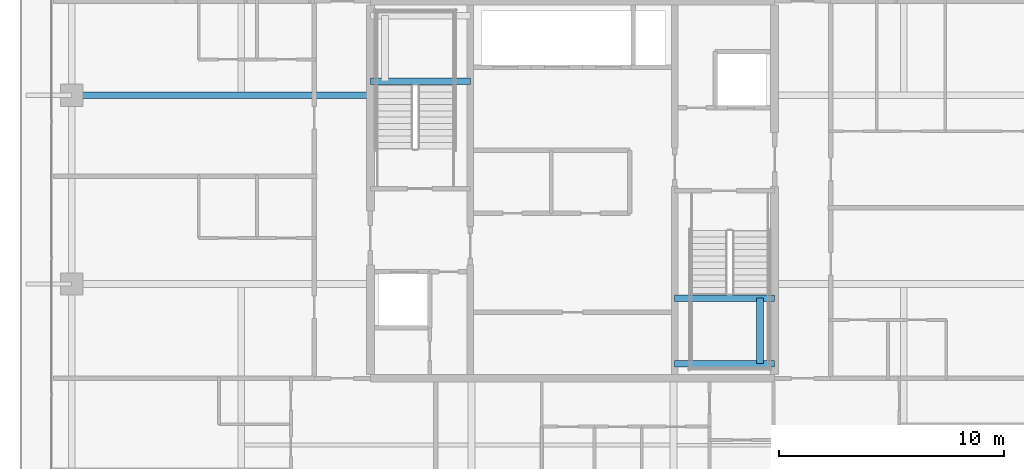
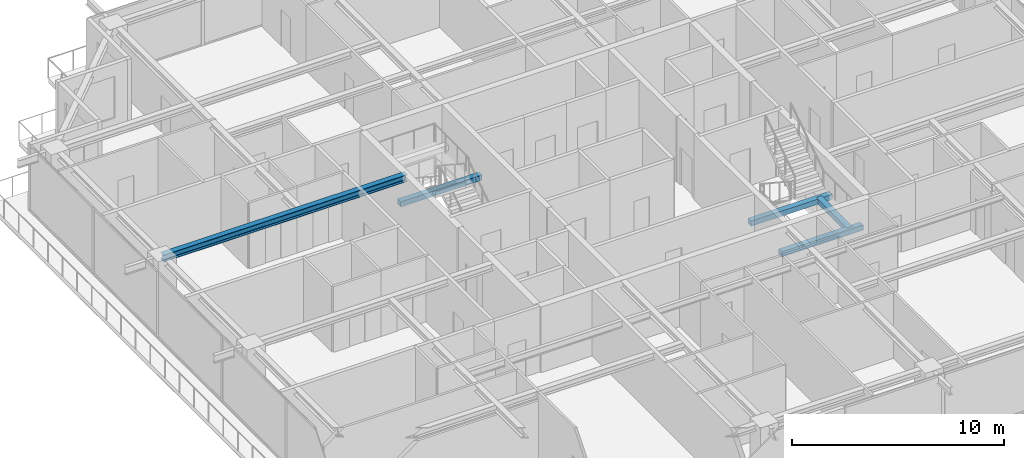
# One storey, part 11 of 42: 5 beams.
"""IFC4 building model written with IfcOpenShell, lengths in metres."""

from ifc_helpers import new_model, si_unit, direction, frame, origin, origin_2d, place, context, subcontext, project, spatial, rectangle, i_section, extrude, source, transform, mapped, material, material_profile, profile_set, type_object, element, save


model = new_model("IFC4")

# Units and contexts
model_context = context("Model", 3, precision=1e-05, world=origin(), true_north=direction((0.0, 1.0)))
body_context = subcontext(model_context, "Body", "Model", "MODEL_VIEW")
ifc_project = project(units=[si_unit("LENGTHUNIT", "METRE"), si_unit("AREAUNIT", "SQUARE_METRE"), si_unit("VOLUMEUNIT", "CUBIC_METRE"), si_unit("PLANEANGLEUNIT", "RADIAN"), si_unit("MASSUNIT", "GRAM", prefix="KILO")], contexts=[model_context])

# Site, building, storey
site_placement = place(None, origin())
site = spatial("IfcSite", under=ifc_project, at=site_placement, CompositionType="ELEMENT")
building_placement = place(site_placement, origin())
building = spatial("IfcBuilding", under=site, at=building_placement, Name="Serunith Strait Residences", CompositionType="ELEMENT")
storey_placement = place(building_placement, frame((0.0, 0.0, 325.85009765625)))
storey = spatial("IfcBuildingStorey", under=building, at=storey_placement, Name="L81", CompositionType="ELEMENT", Elevation=325.85009765625)

# Beams
ifc_material_1 = material(Name="Steel S355J2", Category="steel")
ifc_material_profile_1 = material_profile(ifc_material_1, i_section(OverallWidth=0.300048828125, OverallDepth=0.39990234375, WebThickness=0.013427734375, FlangeThickness=0.02392578125, FilletRadius=0.027099609375, at=origin_2d()), Name="HEB 400")
ifc_profile_set_1 = profile_set([ifc_material_profile_1], Name="Steel S355J2")
beam_type_1 = type_object("IfcBeamType", Name="BM-HEB400", PredefinedType="BEAM", material=ifc_profile_set_1)
shared_shape_1 = source(origin(), body_context, "Body", "SweptSolid", [
    extrude(i_section(OverallWidth=0.300048828125, OverallDepth=0.39990234375, WebThickness=0.013427734375, FlangeThickness=0.02392578125, FilletRadius=0.027099609375, at=origin_2d()), origin(), (0.0, 0.0, 1.0), 13.2998046875),
])
beam_1_placement = place(storey_placement, frame((23.39990234375, 29.39990234375, 3.5869140625), z_axis=(-1.0, 0.0, 0.0), x_axis=(0.0, -1.0, 0.0)))
element("IfcBeam", 1, at=beam_1_placement, inside=storey, type_object=beam_type_1, Name="L81 Primary Floor Girder TC-W3", PredefinedType="BEAM", context=body_context, shape_type="MappedRepresentation", body=[
    mapped(shared_shape_1, transform((0.0, 0.0, 0.0), scale=1.0)),
])
ifc_material_2 = material(Name="Concrete C60/75", Category="concrete")
ifc_material_profile_2 = material_profile(ifc_material_2, rectangle(XDim=0.300048828125, YDim=0.300048828125, at=origin_2d()), Name="RC 300x300")
ifc_profile_set_2 = profile_set([ifc_material_profile_2], Name="Concrete C60/75")
beam_type_2 = type_object("IfcBeamType", Name="BM-LAND-300x300", PredefinedType="BEAM", material=ifc_profile_set_2)
shared_shape_2 = source(origin(), body_context, "Body", "SweptSolid", [
    extrude(rectangle(XDim=0.300048828125, YDim=0.300048828125, at=origin_2d()), origin(), (0.0, 0.0, 1.0), 4.4501953125),
])
beam_2_placement = place(storey_placement, frame((23.39990234375, 30.030029296875, 1.6748046875), z_axis=(1.0, 0.0, 0.0), x_axis=(0.0, 1.0, 0.0)))
element("IfcBeam", 2, at=beam_2_placement, inside=storey, type_object=beam_type_2, Name="L81 ST-1 Landing Support Beam 1", PredefinedType="BEAM", context=body_context, shape_type="MappedRepresentation", body=[
    mapped(shared_shape_2, transform((0.0, 0.0, 0.0), scale=1.0)),
])
shared_shape_3 = source(origin(), body_context, "Body", "SweptSolid", [
    extrude(rectangle(XDim=0.300048828125, YDim=0.300048828125, at=origin_2d()), origin(), (0.0, 0.0, 1.0), 4.449951171875),
])
for number, where, z_axis, x_axis, name in (
    (3, (36.949951171875, 17.449951171875, 1.6748046875), (1.0, 0.0, 0.0), (0.0, 1.0, 0.0), "L81 ST-2 Landing Support Beam 1"),
    (4, (36.949951171875, 20.3701171875, 1.6748046875), (1.0, 0.0, 0.0), (0.0, 1.0, 0.0), "L81 ST-2 Landing Support Beam 2"),
):
    element("IfcBeam", number, at=place(storey_placement, frame(where, z_axis=z_axis, x_axis=x_axis)), inside=storey, type_object=beam_type_2, Name=name, PredefinedType="BEAM", context=body_context, shape_type="MappedRepresentation", body=[
        mapped(shared_shape_3, transform((0.0, 0.0, 0.0), scale=1.0)),
    ])
shared_shape_4 = source(origin(), body_context, "Body", "SweptSolid", [
    extrude(rectangle(XDim=0.300048828125, YDim=0.300048828125, at=origin_2d()), origin(), (0.0, 0.0, 1.0), 2.920166015625),
])
beam_3_placement = place(storey_placement, frame((40.75, 17.449951171875, 1.6748046875), z_axis=(0.0, 1.0, 0.0), x_axis=(-1.0, 0.0, 0.0)))
element("IfcBeam", 5, at=beam_3_placement, inside=storey, type_object=beam_type_2, Name="L81 ST-2 Landing Transverse Tie Beam", PredefinedType="BEAM", context=body_context, shape_type="MappedRepresentation", body=[
    mapped(shared_shape_4, transform((0.0, 0.0, 0.0), scale=1.0)),
])

save(model, "model.ifc")
